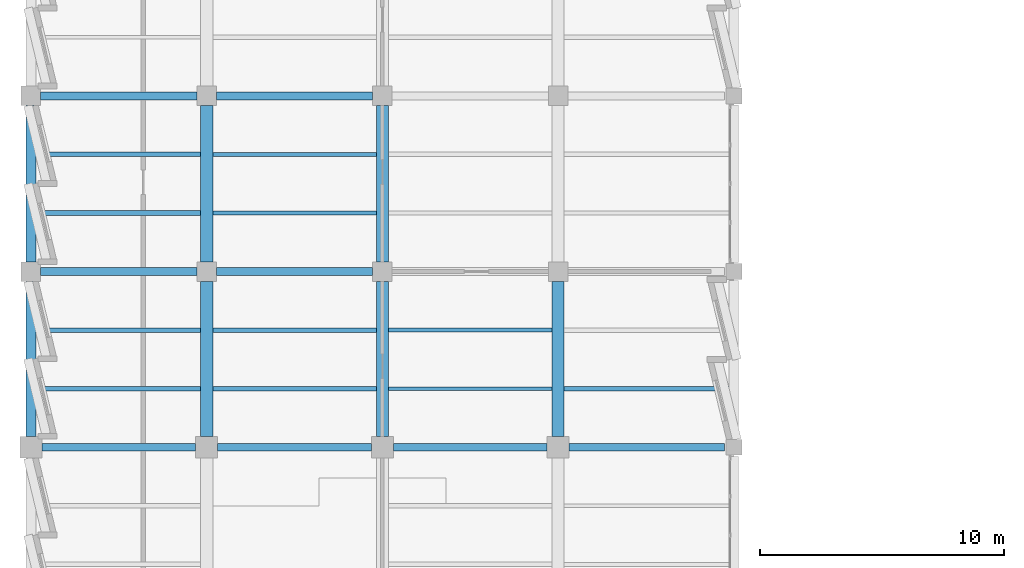
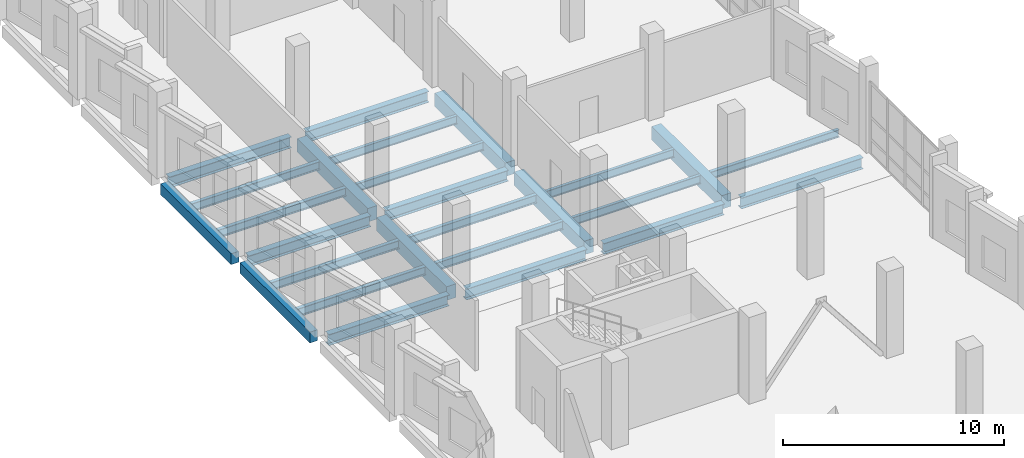
# One storey, part 42 of 127: 26 beams.
"""IFC4 building model written with IfcOpenShell, lengths in metres."""

from ifc_helpers import new_model, si_unit, direction, frame, origin, origin_2d, place, context, subcontext, project, spatial, rectangle, i_section, extrude, material, material_profile, profile_set, type_object, element, save


model = new_model("IFC4")

# Units and contexts
model_context = context("Model", 3, precision=1e-05, world=origin(), true_north=direction((0.0, 1.0)))
body_context = subcontext(model_context, "Body", "Model", "MODEL_VIEW")
ifc_project = project(units=[si_unit("LENGTHUNIT", "METRE"), si_unit("AREAUNIT", "SQUARE_METRE"), si_unit("VOLUMEUNIT", "CUBIC_METRE"), si_unit("PLANEANGLEUNIT", "RADIAN"), si_unit("MASSUNIT", "GRAM", prefix="KILO")], contexts=[model_context])

# Site, building, storey
site_placement = place(None, origin())
site = spatial("IfcSite", under=ifc_project, at=site_placement, CompositionType="ELEMENT")
building_placement = place(site_placement, origin())
building = spatial("IfcBuilding", under=site, at=building_placement, Name="Kalmorath City Hall", CompositionType="ELEMENT")
storey_placement = place(building_placement, frame((0.0, 0.0, 5.39990234375)))
storey = spatial("IfcBuildingStorey", under=building, at=storey_placement, Name="L01", CompositionType="ELEMENT", Elevation=5.39990234375)

# Beams
ifc_material_1 = material(Name="Concrete C40/50", Category="concrete")
ifc_material_profile_1 = material_profile(ifc_material_1, rectangle(XDim=0.39990234375, YDim=0.60009765625, at=origin_2d()), Name="RC-BM-400X600")
ifc_profile_set_1 = profile_set([ifc_material_profile_1], Name="Concrete C40/50")
beam_type_1 = type_object("IfcBeamType", Name="Concrete edge beam 400x600", PredefinedType="SPANDREL", material=ifc_profile_set_1)
beam_1_placement = place(storey_placement, frame((0.0, 65.25, -0.6240234375), z_axis=(0.0, 1.0, 0.0), x_axis=(-1.0, 0.0, 0.0)))
element("IfcBeam", 1, at=beam_1_placement, inside=storey, type_object=beam_type_1, Name="L01 girder CB6 Y1/10-11", PredefinedType="SPANDREL", context=body_context, shape_type="SweptSolid", body=[
    extrude(rectangle(XDim=0.39990234375, YDim=0.60009765625, at=origin_2d()), origin(), (0.0, 0.0, 1.0), 6.35009765625),
])
beam_2_placement = place(storey_placement, frame((0.0, 72.39990234375, -0.6240234375), z_axis=(0.0, 1.0, 0.0), x_axis=(-1.0, 0.0, 0.0)))
element("IfcBeam", 2, at=beam_2_placement, inside=storey, type_object=beam_type_1, Name="L01 girder CB6 Y1/11-12", PredefinedType="SPANDREL", context=body_context, shape_type="SweptSolid", body=[
    extrude(rectangle(XDim=0.39990234375, YDim=0.60009765625, at=origin_2d()), origin(), (0.0, 0.0, 1.0), 6.400146484375),
])
ifc_material_2 = material(Name="Concrete C40/50", Category="concrete")
ifc_material_profile_2 = material_profile(ifc_material_2, rectangle(XDim=0.5, YDim=0.75, at=origin_2d()), Name="RC-BM-500X750")
ifc_profile_set_2 = profile_set([ifc_material_profile_2], Name="Concrete C40/50")
beam_type_2 = type_object("IfcBeamType", Name="Concrete floor beam 500x750", PredefinedType="BEAM", material=ifc_profile_set_2)
beam_3_placement = place(storey_placement, frame((7.199951171875, 65.25, -0.698974609375), z_axis=(0.0, 1.0, 0.0), x_axis=(-1.0, 0.0, 0.0)))
element("IfcBeam", 3, at=beam_3_placement, inside=storey, type_object=beam_type_2, Name="L01 girder CB3 Y2/10-11", PredefinedType="BEAM", context=body_context, shape_type="SweptSolid", body=[
    extrude(rectangle(XDim=0.5, YDim=0.75, at=origin_2d()), origin(), (0.0, 0.0, 1.0), 6.35009765625),
])
beam_4_placement = place(storey_placement, frame((7.199951171875, 72.39990234375, -0.698974609375), z_axis=(0.0, 1.0, 0.0), x_axis=(-1.0, 0.0, 0.0)))
element("IfcBeam", 4, at=beam_4_placement, inside=storey, type_object=beam_type_2, Name="L01 girder CB3 Y2/11-12", PredefinedType="BEAM", context=body_context, shape_type="SweptSolid", body=[
    extrude(rectangle(XDim=0.5, YDim=0.75, at=origin_2d()), origin(), (0.0, 0.0, 1.0), 6.400146484375),
])
beam_5_placement = place(storey_placement, frame((14.39990234375, 65.25, -0.698974609375), z_axis=(0.0, 1.0, 0.0), x_axis=(-1.0, 0.0, 0.0)))
element("IfcBeam", 5, at=beam_5_placement, inside=storey, type_object=beam_type_2, Name="L01 girder CB3 Y3/10-11", PredefinedType="BEAM", context=body_context, shape_type="SweptSolid", body=[
    extrude(rectangle(XDim=0.5, YDim=0.75, at=origin_2d()), origin(), (0.0, 0.0, 1.0), 6.35009765625),
])
beam_6_placement = place(storey_placement, frame((14.39990234375, 72.39990234375, -0.698974609375), z_axis=(0.0, 1.0, 0.0), x_axis=(-1.0, 0.0, 0.0)))
element("IfcBeam", 6, at=beam_6_placement, inside=storey, type_object=beam_type_2, Name="L01 girder CB3 Y3/11-12", PredefinedType="BEAM", context=body_context, shape_type="SweptSolid", body=[
    extrude(rectangle(XDim=0.5, YDim=0.75, at=origin_2d()), origin(), (0.0, 0.0, 1.0), 6.400146484375),
])
beam_7_placement = place(storey_placement, frame((21.60009765625, 65.25, -0.698974609375), z_axis=(0.0, 1.0, 0.0), x_axis=(-1.0, 0.0, 0.0)))
element("IfcBeam", 7, at=beam_7_placement, inside=storey, type_object=beam_type_2, Name="L01 girder CB3 Y4/10-11", PredefinedType="BEAM", context=body_context, shape_type="SweptSolid", body=[
    extrude(rectangle(XDim=0.5, YDim=0.75, at=origin_2d()), origin(), (0.0, 0.0, 1.0), 6.35009765625),
])
ifc_material_3 = material(Name="Steel ASTM A992 Grade 50", Category="steel")
ifc_material_profile_3 = material_profile(ifc_material_3, i_section(OverallWidth=0.180908203125, OverallDepth=0.4169921875, WebThickness=0.010986328125, FlangeThickness=0.018310546875, FilletRadius=0.012939453125, at=origin_2d()), Name="W16X57")
ifc_profile_set_3 = profile_set([ifc_material_profile_3], Name="Steel ASTM A992 Grade 50")
beam_type_3 = type_object("IfcBeamType", Name="Steel composite joist W16X57", PredefinedType="JOIST", material=ifc_profile_set_3)
beam_8_placement = place(storey_placement, frame((21.85009765625, 67.199951171875, -0.532470703125), z_axis=(1.0, 0.0, 0.0), x_axis=(0.0, 1.0, 0.0)))
element("IfcBeam", 8, at=beam_8_placement, inside=storey, type_object=beam_type_3, Name="L01 joist SJ5 4.10.1", PredefinedType="JOIST", context=body_context, shape_type="SweptSolid", body=[
    extrude(i_section(OverallWidth=0.180908203125, OverallDepth=0.4169921875, WebThickness=0.010986328125, FlangeThickness=0.018310546875, FilletRadius=0.012939453125, at=origin_2d()), origin(), (0.0, 0.0, 1.0), 6.75),
])
ifc_material_4 = material(Name="Steel ASTM A992 Grade 50", Category="steel")
ifc_material_profile_4 = material_profile(ifc_material_4, i_section(OverallWidth=0.153076171875, OverallDepth=0.455078125, WebThickness=0.008056640625, FlangeThickness=0.01318359375, FilletRadius=0.013916015625, at=origin_2d()), Name="W18X40")
ifc_profile_set_4 = profile_set([ifc_material_profile_4], Name="Steel ASTM A992 Grade 50")
beam_type_4 = type_object("IfcBeamType", Name="Steel composite joist W18X40", PredefinedType="JOIST", material=ifc_profile_set_4)
for number, where, z_axis, x_axis, name in (
    (9, (7.449951171875, 74.39990234375, -0.551513671875), (1.0, 0.0, 0.0), (0.0, 1.0, 0.0), "L01 joist SJ4 2.11.1"),
    (10, (7.449951171875, 76.800048828125, -0.551513671875), (1.0, 0.0, 0.0), (0.0, 1.0, 0.0), "L01 joist SJ4 2.11.2"),
):
    element("IfcBeam", number, at=place(storey_placement, frame(where, z_axis=z_axis, x_axis=x_axis)), inside=storey, type_object=beam_type_4, Name=name, PredefinedType="JOIST", context=body_context, shape_type="SweptSolid", body=[
        extrude(i_section(OverallWidth=0.153076171875, OverallDepth=0.455078125, WebThickness=0.008056640625, FlangeThickness=0.01318359375, FilletRadius=0.013916015625, at=origin_2d()), origin(), (0.0, 0.0, 1.0), 6.699951171875),
    ])
for number, where, z_axis, x_axis, name in (
    (11, (14.64990234375, 67.199951171875, -0.551513671875), (1.0, 0.0, 0.0), (0.0, 1.0, 0.0), "L01 joist SJ4 3.10.1"),
    (12, (14.64990234375, 69.60009765625, -0.551513671875), (1.0, 0.0, 0.0), (0.0, 1.0, 0.0), "L01 joist SJ4 3.10.2"),
):
    element("IfcBeam", number, at=place(storey_placement, frame(where, z_axis=z_axis, x_axis=x_axis)), inside=storey, type_object=beam_type_4, Name=name, PredefinedType="JOIST", context=body_context, shape_type="SweptSolid", body=[
        extrude(i_section(OverallWidth=0.153076171875, OverallDepth=0.455078125, WebThickness=0.008056640625, FlangeThickness=0.01318359375, FilletRadius=0.013916015625, at=origin_2d()), origin(), (0.0, 0.0, 1.0), 6.7001953125),
    ])
ifc_material_5 = material(Name="Steel ASTM A992 Grade 50", Category="steel")
ifc_material_profile_5 = material_profile(ifc_material_5, i_section(OverallWidth=0.19091796875, OverallDepth=0.45703125, WebThickness=0.009033203125, FlangeThickness=0.014404296875, FilletRadius=0.013916015625, at=origin_2d()), Name="W18X50")
ifc_profile_set_5 = profile_set([ifc_material_profile_5], Name="Steel ASTM A992 Grade 50")
beam_type_5 = type_object("IfcBeamType", Name="Steel composite joist W18X50", PredefinedType="JOIST", material=ifc_profile_set_5)
for number, where, z_axis, x_axis, name in (
    (13, (0.199951171875, 74.39990234375, -0.552490234375), (1.0, 0.0, 0.0), (0.0, 1.0, 0.0), "L01 joist SJ3 1.11.1"),
    (14, (0.199951171875, 76.800048828125, -0.552490234375), (1.0, 0.0, 0.0), (0.0, 1.0, 0.0), "L01 joist SJ3 1.11.2"),
):
    element("IfcBeam", number, at=place(storey_placement, frame(where, z_axis=z_axis, x_axis=x_axis)), inside=storey, type_object=beam_type_5, Name=name, PredefinedType="JOIST", context=body_context, shape_type="SweptSolid", body=[
        extrude(i_section(OverallWidth=0.19091796875, OverallDepth=0.45703125, WebThickness=0.009033203125, FlangeThickness=0.014404296875, FilletRadius=0.013916015625, at=origin_2d()), origin(), (0.0, 0.0, 1.0), 6.75),
    ])
for number, where, z_axis, x_axis, name in (
    (15, (7.449951171875, 67.199951171875, -0.552490234375), (1.0, 0.0, 0.0), (0.0, 1.0, 0.0), "L01 joist SJ3 2.10.1"),
    (16, (7.449951171875, 69.60009765625, -0.552490234375), (1.0, 0.0, 0.0), (0.0, 1.0, 0.0), "L01 joist SJ3 2.10.2"),
):
    element("IfcBeam", number, at=place(storey_placement, frame(where, z_axis=z_axis, x_axis=x_axis)), inside=storey, type_object=beam_type_5, Name=name, PredefinedType="JOIST", context=body_context, shape_type="SweptSolid", body=[
        extrude(i_section(OverallWidth=0.19091796875, OverallDepth=0.45703125, WebThickness=0.009033203125, FlangeThickness=0.014404296875, FilletRadius=0.013916015625, at=origin_2d()), origin(), (0.0, 0.0, 1.0), 6.699951171875),
    ])
ifc_material_6 = material(Name="Steel ASTM A992 Grade 50", Category="steel")
ifc_material_profile_6 = material_profile(ifc_material_6, i_section(OverallWidth=0.19091796875, OverallDepth=0.4599609375, WebThickness=0.010009765625, FlangeThickness=0.01611328125, FilletRadius=0.013916015625, at=origin_2d()), Name="W18X55")
ifc_profile_set_6 = profile_set([ifc_material_profile_6], Name="Steel ASTM A992 Grade 50")
beam_type_6 = type_object("IfcBeamType", Name="Steel composite joist W18X55", PredefinedType="JOIST", material=ifc_profile_set_6)
for number, where, z_axis, x_axis, name in (
    (17, (0.199951171875, 67.199951171875, -0.553955078125), (1.0, 0.0, 0.0), (0.0, 1.0, 0.0), "L01 joist SJ2 1.10.1"),
    (18, (0.199951171875, 69.60009765625, -0.553955078125), (1.0, 0.0, 0.0), (0.0, 1.0, 0.0), "L01 joist SJ2 1.10.2"),
):
    element("IfcBeam", number, at=place(storey_placement, frame(where, z_axis=z_axis, x_axis=x_axis)), inside=storey, type_object=beam_type_6, Name=name, PredefinedType="JOIST", context=body_context, shape_type="SweptSolid", body=[
        extrude(i_section(OverallWidth=0.19091796875, OverallDepth=0.4599609375, WebThickness=0.010009765625, FlangeThickness=0.01611328125, FilletRadius=0.013916015625, at=origin_2d()), origin(), (0.0, 0.0, 1.0), 6.75),
    ])
ifc_material_7 = material(Name="Steel ASTM A992 Grade 50", Category="steel")
ifc_material_profile_7 = material_profile(ifc_material_7, i_section(OverallWidth=0.323974609375, OverallDepth=0.611083984375, WebThickness=0.0126953125, FlangeThickness=0.01904296875, FilletRadius=0.01611328125, at=origin_2d()), Name="W24X104")
ifc_profile_set_7 = profile_set([ifc_material_profile_7], Name="Steel ASTM A992 Grade 50")
beam_type_7 = type_object("IfcBeamType", Name="Steel floor girder W24X104", PredefinedType="BEAM", material=ifc_profile_set_7)
for number, where, z_axis, x_axis, name in (
    (19, (0.449951171875, 64.800048828125, -0.62939453125), (1.0, 0.0, 0.0), (0.0, 1.0, 0.0), "L01 girder SG7 X1-2/10"),
    (20, (7.64990234375, 64.800048828125, -0.62939453125), (1.0, 0.0, 0.0), (0.0, 1.0, 0.0), "L01 girder SG7 X2-3/10"),
):
    element("IfcBeam", number, at=place(storey_placement, frame(where, z_axis=z_axis, x_axis=x_axis)), inside=storey, type_object=beam_type_7, Name=name, PredefinedType="BEAM", context=body_context, shape_type="SweptSolid", body=[
        extrude(i_section(OverallWidth=0.323974609375, OverallDepth=0.611083984375, WebThickness=0.0126953125, FlangeThickness=0.01904296875, FilletRadius=0.01611328125, at=origin_2d()), origin(), (0.0, 0.0, 1.0), 6.300048828125),
    ])
beam_9_placement = place(storey_placement, frame((14.85009765625, 64.800048828125, -0.62939453125), z_axis=(1.0, 0.0, 0.0), x_axis=(0.0, 1.0, 0.0)))
element("IfcBeam", 21, at=beam_9_placement, inside=storey, type_object=beam_type_7, Name="L01 girder SG7 X3-4/10", PredefinedType="BEAM", context=body_context, shape_type="SweptSolid", body=[
    extrude(i_section(OverallWidth=0.323974609375, OverallDepth=0.611083984375, WebThickness=0.0126953125, FlangeThickness=0.01904296875, FilletRadius=0.01611328125, at=origin_2d()), origin(), (0.0, 0.0, 1.0), 6.2998046875),
])
beam_10_placement = place(storey_placement, frame((22.050048828125, 64.800048828125, -0.62939453125), z_axis=(1.0, 0.0, 0.0), x_axis=(0.0, 1.0, 0.0)))
element("IfcBeam", 22, at=beam_10_placement, inside=storey, type_object=beam_type_7, Name="L01 girder SG7 X4-5/10", PredefinedType="BEAM", context=body_context, shape_type="SweptSolid", body=[
    extrude(i_section(OverallWidth=0.323974609375, OverallDepth=0.611083984375, WebThickness=0.0126953125, FlangeThickness=0.01904296875, FilletRadius=0.01611328125, at=origin_2d()), origin(), (0.0, 0.0, 1.0), 6.375),
])
beam_11_placement = place(storey_placement, frame((0.39990234375, 72.0, -0.62939453125), z_axis=(1.0, 0.0, 0.0), x_axis=(0.0, 1.0, 0.0)))
element("IfcBeam", 23, at=beam_11_placement, inside=storey, type_object=beam_type_7, Name="L01 girder SG7 X1-2/11", PredefinedType="BEAM", context=body_context, shape_type="SweptSolid", body=[
    extrude(i_section(OverallWidth=0.323974609375, OverallDepth=0.611083984375, WebThickness=0.0126953125, FlangeThickness=0.01904296875, FilletRadius=0.01611328125, at=origin_2d()), origin(), (0.0, 0.0, 1.0), 6.400146484375),
])
beam_12_placement = place(storey_placement, frame((7.60009765625, 72.0, -0.62939453125), z_axis=(1.0, 0.0, 0.0), x_axis=(0.0, 1.0, 0.0)))
element("IfcBeam", 24, at=beam_12_placement, inside=storey, type_object=beam_type_7, Name="L01 girder SG7 X2-3/11", PredefinedType="BEAM", context=body_context, shape_type="SweptSolid", body=[
    extrude(i_section(OverallWidth=0.323974609375, OverallDepth=0.611083984375, WebThickness=0.0126953125, FlangeThickness=0.01904296875, FilletRadius=0.01611328125, at=origin_2d()), origin(), (0.0, 0.0, 1.0), 6.39990234375),
])
beam_13_placement = place(storey_placement, frame((0.39990234375, 79.199951171875, -0.62939453125), z_axis=(1.0, 0.0, 0.0), x_axis=(0.0, 1.0, 0.0)))
element("IfcBeam", 25, at=beam_13_placement, inside=storey, type_object=beam_type_7, Name="L01 girder SG7 X1-2/12", PredefinedType="BEAM", context=body_context, shape_type="SweptSolid", body=[
    extrude(i_section(OverallWidth=0.323974609375, OverallDepth=0.611083984375, WebThickness=0.0126953125, FlangeThickness=0.01904296875, FilletRadius=0.01611328125, at=origin_2d()), origin(), (0.0, 0.0, 1.0), 6.400146484375),
])
beam_14_placement = place(storey_placement, frame((7.60009765625, 79.199951171875, -0.62939453125), z_axis=(1.0, 0.0, 0.0), x_axis=(0.0, 1.0, 0.0)))
element("IfcBeam", 26, at=beam_14_placement, inside=storey, type_object=beam_type_7, Name="L01 girder SG7 X2-3/12", PredefinedType="BEAM", context=body_context, shape_type="SweptSolid", body=[
    extrude(i_section(OverallWidth=0.323974609375, OverallDepth=0.611083984375, WebThickness=0.0126953125, FlangeThickness=0.01904296875, FilletRadius=0.01611328125, at=origin_2d()), origin(), (0.0, 0.0, 1.0), 6.39990234375),
])

save(model, "model.ifc")
